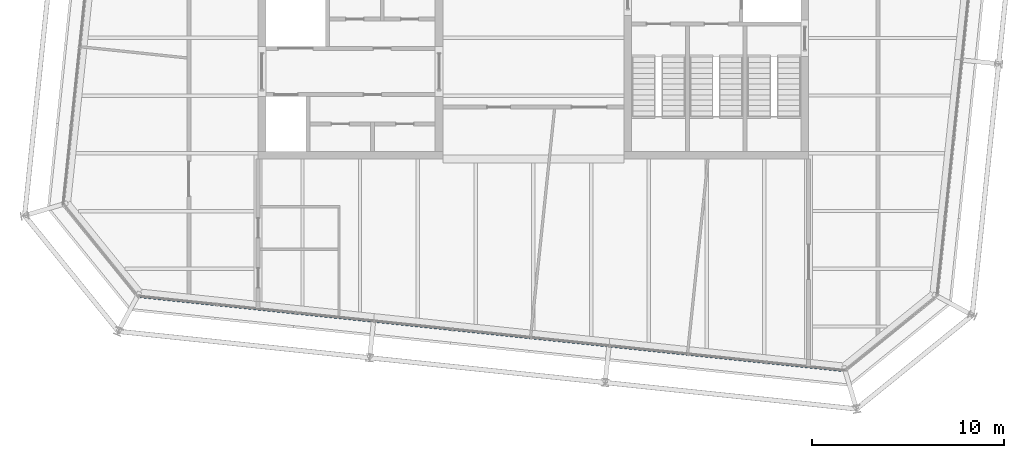
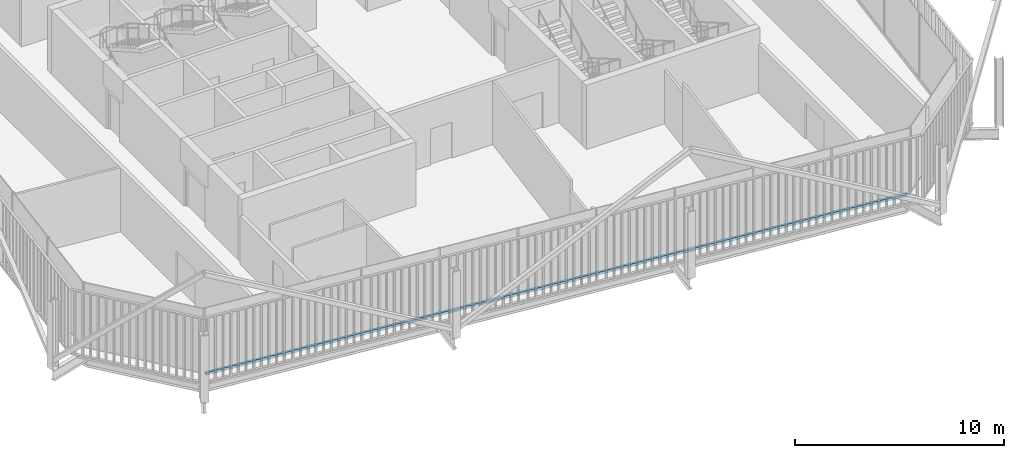
# One storey, part 4 of 21: 1 member, 1 element without a shape of its own.
"""IFC4 building model written with IfcOpenShell, lengths in metres."""

import ifcopenshell
import ifcopenshell.guid

model = None  # the IFC model being written
_history = None  # IfcOwnerHistory: only IFC2X3 demands one
_inside = {}  # id of a spatial element -> (the spatial element, [elements in it])
_under = {}  # id of a project, library or spatial element -> (it, [spatial elements below it])
_declared = {}  # id of a project -> (the project, [libraries it declares])
_typed = {}  # id of a type object -> (the type object, [elements of that type])
_made_of = {}  # id of a material, layer set ... -> (it, [elements and type objects made of it])


def new_model(schema):
    """Start an empty IFC model of exactly this schema.

    Asked for "IFC4X3", IfcOpenShell would pick the latest addendum, in which some entities
    have other attributes; the version numbers below select the first issue.
    IFC2X3 requires an IfcOwnerHistory on every rooted entity: one is made here for all.
    """
    global model, _history
    if schema == "IFC4X3":
        model = ifcopenshell.file(schema_version=(4, 3, 0, 0))
    else:
        model = ifcopenshell.file(schema=schema)
    _inside.clear()
    _under.clear()
    _declared.clear()
    _typed.clear()
    _made_of.clear()
    _history = None
    if model.schema == "IFC2X3":
        org = make("IfcOrganization", Name="unknown")
        user = make(
            "IfcPersonAndOrganization",
            ThePerson=make("IfcPerson", FamilyName="unknown"),
            TheOrganization=org,
        )
        app = make(
            "IfcApplication",
            ApplicationDeveloper=org,
            Version="unknown",
            ApplicationFullName="unknown",
            ApplicationIdentifier="unknown",
        )
        _history = make(
            "IfcOwnerHistory",
            OwningUser=user,
            OwningApplication=app,
            ChangeAction="ADDED",
            CreationDate=0,
        )
    return model


def make(cls, **values):
    """One entity of the class cls with the attributes given. An attribute that is None is left unset."""
    return model.create_entity(
        cls, **{name: value for name, value in values.items() if value is not None}
    )


def rooted(cls, **values):
    """An entity with a GlobalId (a new one), such as an element, a storey or a relation."""
    return make(cls, GlobalId=ifcopenshell.guid.new(), OwnerHistory=_history, **values)


def si_unit(unit_type, name, prefix=None):
    """IfcSIUnit, for example si_unit("LENGTHUNIT", "METRE", prefix="MILLI")."""
    return make("IfcSIUnit", UnitType=unit_type, Prefix=prefix, Name=name)


def assignment(units):
    """IfcUnitAssignment: the units of a project."""
    return None if units is None else make("IfcUnitAssignment", Units=units)


def point(xyz):
    """IfcCartesianPoint."""
    return None if xyz is None else make("IfcCartesianPoint", Coordinates=xyz)


def direction(xyz):
    """IfcDirection."""
    return None if xyz is None else make("IfcDirection", DirectionRatios=xyz)


def frame(location, z_axis=None, x_axis=None):
    """IfcAxis2Placement3D, a coordinate frame: its origin and axes. An axis left out is left unset."""
    return make(
        "IfcAxis2Placement3D",
        Location=point(location),
        Axis=direction(z_axis),
        RefDirection=direction(x_axis),
    )


def frame_2d(location, x_axis=None):
    """IfcAxis2Placement2D, a coordinate frame in the plane: its origin and x axis."""
    return make(
        "IfcAxis2Placement2D", Location=point(location), RefDirection=direction(x_axis)
    )


def origin():
    """The frame at (0, 0, 0) with its axes left unset."""
    return frame((0.0, 0.0, 0.0))


def origin_2d():
    """The frame at (0, 0) in the plane with its x axis left unset."""
    return frame_2d((0.0, 0.0))


def place(relative_to, where):
    """IfcLocalPlacement: puts the frame where relative to a parent placement (None: the world)."""
    return make(
        "IfcLocalPlacement", PlacementRelTo=relative_to, RelativePlacement=where
    )


def context(
    kind, dimensions, precision=None, world=None, true_north=None, identifier=None
):
    """IfcGeometricRepresentationContext, for example the 3D "Model" context."""
    return make(
        "IfcGeometricRepresentationContext",
        ContextIdentifier=identifier,
        ContextType=kind,
        CoordinateSpaceDimension=dimensions,
        Precision=precision,
        WorldCoordinateSystem=world,
        TrueNorth=true_north,
    )


def subcontext(parent, identifier, kind, view, scale=None):
    """IfcGeometricRepresentationSubContext, for example "Body" below "Model"."""
    return make(
        "IfcGeometricRepresentationSubContext",
        ContextIdentifier=identifier,
        ContextType=kind,
        ParentContext=parent,
        TargetScale=scale,
        TargetView=view,
    )


def project(units=None, contexts=None):
    """IfcProject with its units and contexts."""
    return rooted(
        "IfcProject",
        Name="project",
        RepresentationContexts=contexts,
        UnitsInContext=assignment(units),
    )


def spatial(cls, under=None, at=None, **own):
    """A site, building, storey or space (cls), placed at a placement, below another one or the project."""
    s = rooted(cls, ObjectPlacement=at, **own)
    if under is not None:
        _under.setdefault(under.id(), (under, []))[1].append(s)
    return s


def profile(cls, at=None, kind="AREA", **sizes):
    """A parametric profile (cls). Its sizes go by their IFC names, for example OverallWidth=200.0."""
    return make(cls, ProfileType=kind, Position=at, **sizes)


def rectangle(**sizes):
    """IfcRectangleProfileDef."""
    return profile("IfcRectangleProfileDef", **sizes)


def extrude(swept, where, along, depth):
    """IfcExtrudedAreaSolid: the profile swept, set in the frame where, extruded along a direction by depth."""
    return make(
        "IfcExtrudedAreaSolid",
        SweptArea=swept,
        Position=where,
        ExtrudedDirection=direction(along),
        Depth=depth,
    )


def shape(context_of_items, identifier, shape_type, items):
    """IfcShapeRepresentation: the items that make up one representation, for example the "Body"."""
    return make(
        "IfcShapeRepresentation",
        ContextOfItems=context_of_items,
        RepresentationIdentifier=identifier,
        RepresentationType=shape_type,
        Items=items,
    )


def material(Name=None, Category=None):
    """IfcMaterial."""
    return make("IfcMaterial", Name=Name, Category=Category)


def layer(
    of_material, thickness, ventilated=None, Name=None, Category=None, Priority=None
):
    """IfcMaterialLayer: one layer of a wall or slab, of a material (None: an air gap)."""
    return make(
        "IfcMaterialLayer",
        Material=of_material,
        LayerThickness=thickness,
        IsVentilated=ventilated,
        Name=Name,
        Category=Category,
        Priority=Priority,
    )


def layer_set(layers, Name=None):
    """IfcMaterialLayerSet."""
    return make("IfcMaterialLayerSet", MaterialLayers=layers, LayerSetName=Name)


def material_profile(
    of_material, cross_section, Name=None, Category=None, Priority=None
):
    """IfcMaterialProfile: a cross section and its material."""
    return make(
        "IfcMaterialProfile",
        Name=Name,
        Material=of_material,
        Profile=cross_section,
        Priority=Priority,
        Category=Category,
    )


def profile_set(profiles, Name=None, composite=None):
    """IfcMaterialProfileSet."""
    return make(
        "IfcMaterialProfileSet",
        Name=Name,
        MaterialProfiles=profiles,
        CompositeProfile=composite,
    )


def made_of(thing, what):
    """Note that an element or type object is made of a material, layer set ...; save() writes the relation."""
    if what is not None:
        _made_of.setdefault(what.id(), (what, []))[1].append(thing)
    return thing


def type_object(cls, material=None, **own):
    """A type object (cls), such as IfcWallType, which elements share."""
    return made_of(rooted(cls, **own), material)


def element(
    cls,
    number,
    at=None,
    inside=None,
    cuts=None,
    type_object=None,
    material=None,
    context=None,
    identifier="Body",
    shape_type=None,
    held_by="IfcProductDefinitionShape",
    body=None,
    shapes=None,
    **own,
):
    """One element of the class cls, such as IfcWall. Its Tag is "e" and its number.

    at: its placement. inside: the storey or other place that contains it. cuts: it is an
    opening in that element (IfcRelVoidsElement). A single representation is given by context,
    identifier, shape_type and body (its items); several are given by shapes. held_by: the class
    of the entity that holds the representations. save() writes the other relations.
    """
    e = rooted(cls, Tag="e%d" % number, ObjectPlacement=at, **own)
    if body is not None:
        shapes = [shape(context, identifier, shape_type, body)]
    if shapes is not None:
        e.Representation = make(held_by, Representations=shapes)
    if inside is not None:
        _inside.setdefault(inside.id(), (inside, []))[1].append(e)
    if cuts is not None:
        rooted(
            "IfcRelVoidsElement", RelatingBuildingElement=cuts, RelatedOpeningElement=e
        )
    if type_object is not None:
        _typed.setdefault(type_object.id(), (type_object, []))[1].append(e)
    return made_of(e, material)


def aggregate(whole, parts):
    """IfcRelAggregates: a whole, such as a stair, and the parts it consists of."""
    return rooted("IfcRelAggregates", RelatingObject=whole, RelatedObjects=parts)


def save(model, path):
    """Write the relations noted so far, then the file.

    IfcRelAggregates (storeys below a building ...), IfcRelContainedInSpatialStructure (elements
    in a storey), IfcRelDefinesByType, IfcRelAssociatesMaterial and IfcRelDeclares: one each for
    every whole, place, type object, material and project.
    """
    for whole, parts in _under.values():
        aggregate(whole, parts)
    for where, things in _inside.values():
        rooted(
            "IfcRelContainedInSpatialStructure",
            RelatedElements=things,
            RelatingStructure=where,
        )
    for kind, things in _typed.values():
        rooted("IfcRelDefinesByType", RelatedObjects=things, RelatingType=kind)
    for what, things in _made_of.values():
        rooted("IfcRelAssociatesMaterial", RelatedObjects=things, RelatingMaterial=what)
    for by, libraries in _declared.values():
        rooted("IfcRelDeclares", RelatingContext=by, RelatedDefinitions=libraries)
    model.write(path)


model = new_model("IFC4")

# Units and contexts
model_context = context("Model", 3, precision=1e-05, world=origin(), true_north=direction((0.0, 1.0)))
body_context = subcontext(model_context, "Body", "Model", "MODEL_VIEW")
ifc_project = project(units=[si_unit("LENGTHUNIT", "METRE"), si_unit("AREAUNIT", "SQUARE_METRE"), si_unit("VOLUMEUNIT", "CUBIC_METRE"), si_unit("PLANEANGLEUNIT", "RADIAN"), si_unit("MASSUNIT", "GRAM", prefix="KILO")], contexts=[model_context])

# Site, building, storey
site_placement = place(None, origin())
site = spatial("IfcSite", under=ifc_project, at=site_placement, CompositionType="ELEMENT")
building_placement = place(site_placement, origin())
building = spatial("IfcBuilding", under=site, at=building_placement, Name="Millrace Tower", CompositionType="ELEMENT")
storey_placement = place(building_placement, frame((0.0, 0.0, 326.5)))
storey = spatial("IfcBuildingStorey", under=building, at=storey_placement, Name="L75", CompositionType="ELEMENT", Elevation=326.5)

# Curtain wall, member
ifc_material_1 = material(Name="Aluminium and glass", Category="aluminium")
ifc_layer = layer(ifc_material_1, 0.14990234375)
ifc_layer_set = layer_set([ifc_layer], Name="Aluminium and glass")
curtain_wall_type = type_object("IfcCurtainWallType", Name="CW-1 office vision curtain wall", PredefinedType="NOTDEFINED", material=ifc_layer_set)
curtain_wall_placement = place(storey_placement, origin())
curtain_wall = element("IfcCurtainWall", 1, at=curtain_wall_placement, inside=storey, type_object=curtain_wall_type, Name="Curtain wall E-F02 L75", PredefinedType="NOTDEFINED")
ifc_material_2 = material(Name="Aluminium", Category="aluminium")
ifc_material_profile = material_profile(ifc_material_2, rectangle(XDim=0.14990234375, YDim=0.139892578125, at=origin_2d()))
ifc_profile_set = profile_set([ifc_material_profile], Name="Aluminium")
member_type = type_object("IfcMemberType", Name="CW-1 office vision curtain wall transom", PredefinedType="USERDEFINED", material=ifc_profile_set)
member_placement = place(storey_placement, frame((-20.435302734375, -16.431884765625, 0.070068359375), z_axis=(0.994521952886, -0.104527916025, 0.0), x_axis=(0.104527916025, 0.994521952886, 0.0)))
member = element("IfcMember", 2, at=member_placement, type_object=member_type, Name="CW1 transom E-F02.1", ObjectType="TRANSOM", PredefinedType="USERDEFINED", context=body_context, shape_type="SweptSolid", body=[
    extrude(rectangle(XDim=0.14990234375, YDim=0.139892578125, at=origin_2d()), origin(), (0.0, 0.0, 1.0), 36.699951171875),
])
aggregate(curtain_wall, [member])

save(model, "model.ifc")
